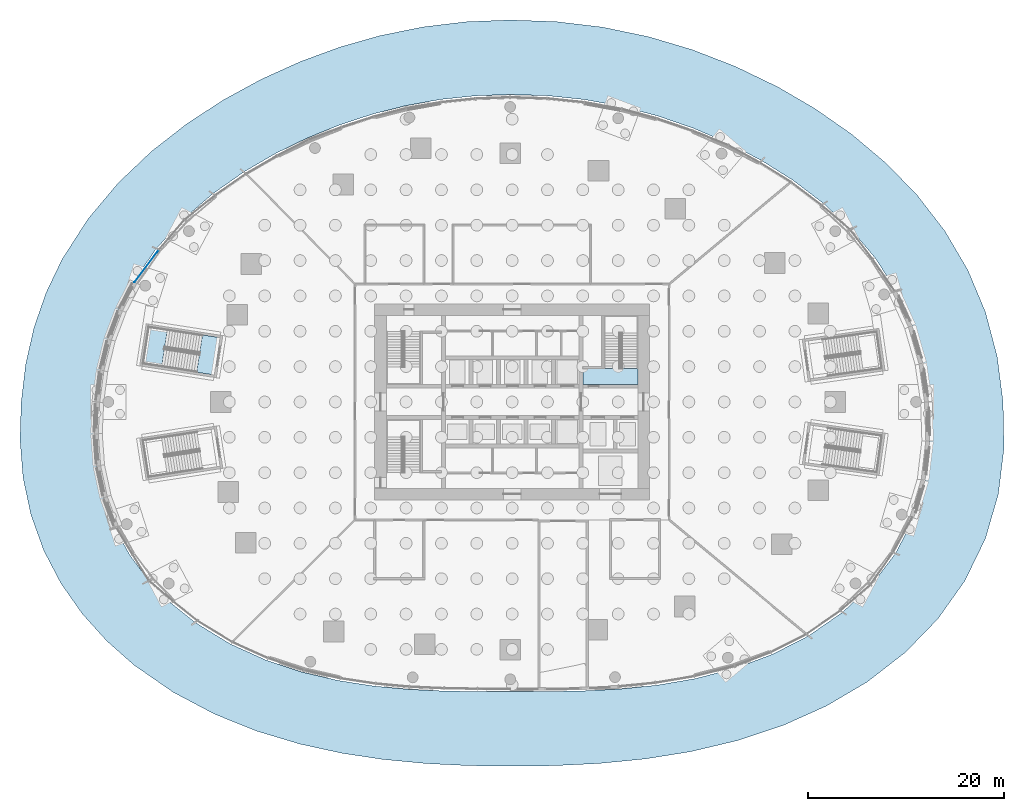
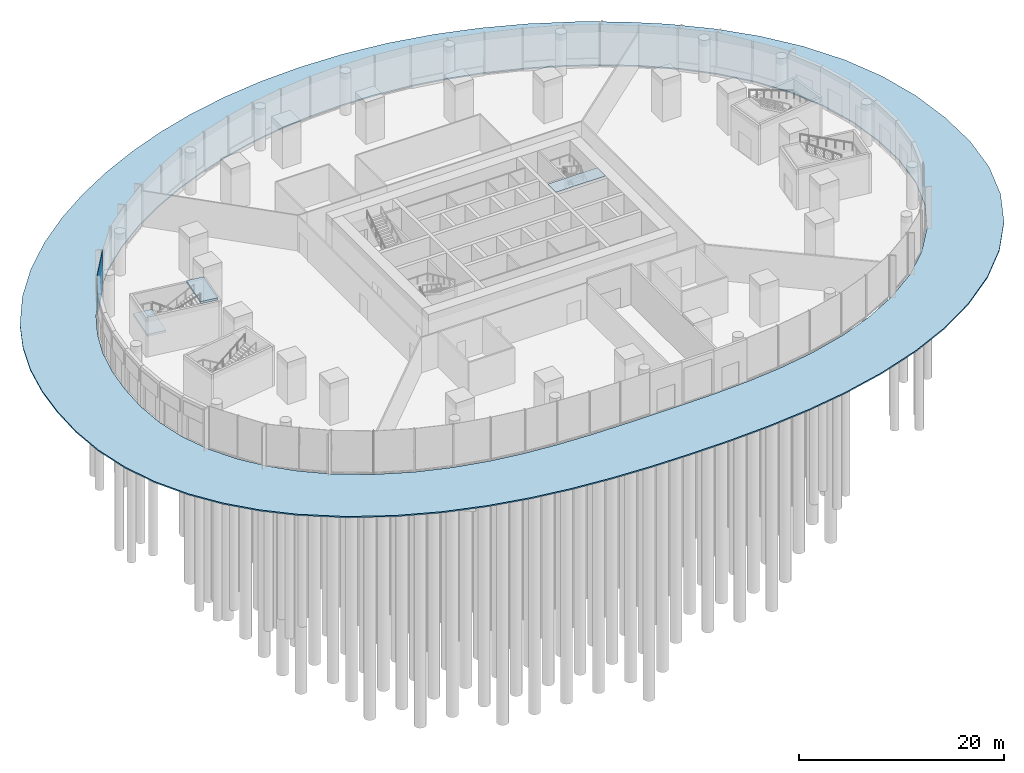
# One storey, part 10 of 29: 4 slabs, 1 plate, 3 elements without a shape of their own.
"""IFC4 building model written with IfcOpenShell, lengths in metres."""

import ifcopenshell
import ifcopenshell.guid

model = None  # the IFC model being written
_history = None  # IfcOwnerHistory: only IFC2X3 demands one
_inside = {}  # id of a spatial element -> (the spatial element, [elements in it])
_under = {}  # id of a project, library or spatial element -> (it, [spatial elements below it])
_declared = {}  # id of a project -> (the project, [libraries it declares])
_typed = {}  # id of a type object -> (the type object, [elements of that type])
_made_of = {}  # id of a material, layer set ... -> (it, [elements and type objects made of it])


def new_model(schema):
    """Start an empty IFC model of exactly this schema.

    Asked for "IFC4X3", IfcOpenShell would pick the latest addendum, in which some entities
    have other attributes; the version numbers below select the first issue.
    IFC2X3 requires an IfcOwnerHistory on every rooted entity: one is made here for all.
    """
    global model, _history
    if schema == "IFC4X3":
        model = ifcopenshell.file(schema_version=(4, 3, 0, 0))
    else:
        model = ifcopenshell.file(schema=schema)
    _inside.clear()
    _under.clear()
    _declared.clear()
    _typed.clear()
    _made_of.clear()
    _history = None
    if model.schema == "IFC2X3":
        org = make("IfcOrganization", Name="unknown")
        user = make(
            "IfcPersonAndOrganization",
            ThePerson=make("IfcPerson", FamilyName="unknown"),
            TheOrganization=org,
        )
        app = make(
            "IfcApplication",
            ApplicationDeveloper=org,
            Version="unknown",
            ApplicationFullName="unknown",
            ApplicationIdentifier="unknown",
        )
        _history = make(
            "IfcOwnerHistory",
            OwningUser=user,
            OwningApplication=app,
            ChangeAction="ADDED",
            CreationDate=0,
        )
    return model


def make(cls, **values):
    """One entity of the class cls with the attributes given. An attribute that is None is left unset."""
    return model.create_entity(
        cls, **{name: value for name, value in values.items() if value is not None}
    )


def rooted(cls, **values):
    """An entity with a GlobalId (a new one), such as an element, a storey or a relation."""
    return make(cls, GlobalId=ifcopenshell.guid.new(), OwnerHistory=_history, **values)


def si_unit(unit_type, name, prefix=None):
    """IfcSIUnit, for example si_unit("LENGTHUNIT", "METRE", prefix="MILLI")."""
    return make("IfcSIUnit", UnitType=unit_type, Prefix=prefix, Name=name)


def assignment(units):
    """IfcUnitAssignment: the units of a project."""
    return None if units is None else make("IfcUnitAssignment", Units=units)


def point(xyz):
    """IfcCartesianPoint."""
    return None if xyz is None else make("IfcCartesianPoint", Coordinates=xyz)


def direction(xyz):
    """IfcDirection."""
    return None if xyz is None else make("IfcDirection", DirectionRatios=xyz)


def frame(location, z_axis=None, x_axis=None):
    """IfcAxis2Placement3D, a coordinate frame: its origin and axes. An axis left out is left unset."""
    return make(
        "IfcAxis2Placement3D",
        Location=point(location),
        Axis=direction(z_axis),
        RefDirection=direction(x_axis),
    )


def frame_2d(location, x_axis=None):
    """IfcAxis2Placement2D, a coordinate frame in the plane: its origin and x axis."""
    return make(
        "IfcAxis2Placement2D", Location=point(location), RefDirection=direction(x_axis)
    )


def origin():
    """The frame at (0, 0, 0) with its axes left unset."""
    return frame((0.0, 0.0, 0.0))


def origin_2d():
    """The frame at (0, 0) in the plane with its x axis left unset."""
    return frame_2d((0.0, 0.0))


def place(relative_to, where):
    """IfcLocalPlacement: puts the frame where relative to a parent placement (None: the world)."""
    return make(
        "IfcLocalPlacement", PlacementRelTo=relative_to, RelativePlacement=where
    )


def context(
    kind, dimensions, precision=None, world=None, true_north=None, identifier=None
):
    """IfcGeometricRepresentationContext, for example the 3D "Model" context."""
    return make(
        "IfcGeometricRepresentationContext",
        ContextIdentifier=identifier,
        ContextType=kind,
        CoordinateSpaceDimension=dimensions,
        Precision=precision,
        WorldCoordinateSystem=world,
        TrueNorth=true_north,
    )


def subcontext(parent, identifier, kind, view, scale=None):
    """IfcGeometricRepresentationSubContext, for example "Body" below "Model"."""
    return make(
        "IfcGeometricRepresentationSubContext",
        ContextIdentifier=identifier,
        ContextType=kind,
        ParentContext=parent,
        TargetScale=scale,
        TargetView=view,
    )


def project(units=None, contexts=None):
    """IfcProject with its units and contexts."""
    return rooted(
        "IfcProject",
        Name="project",
        RepresentationContexts=contexts,
        UnitsInContext=assignment(units),
    )


def spatial(cls, under=None, at=None, **own):
    """A site, building, storey or space (cls), placed at a placement, below another one or the project."""
    s = rooted(cls, ObjectPlacement=at, **own)
    if under is not None:
        _under.setdefault(under.id(), (under, []))[1].append(s)
    return s


def polyline(points):
    """IfcPolyline through the points."""
    return make("IfcPolyline", Points=[point(p) for p in points])


def profile(cls, at=None, kind="AREA", **sizes):
    """A parametric profile (cls). Its sizes go by their IFC names, for example OverallWidth=200.0."""
    return make(cls, ProfileType=kind, Position=at, **sizes)


def rectangle(**sizes):
    """IfcRectangleProfileDef."""
    return profile("IfcRectangleProfileDef", **sizes)


def outline(outer, holes=None, kind="AREA"):
    """IfcArbitraryClosedProfileDef: a profile drawn as a closed curve; with holes, ...WithVoids."""
    if holes is None:
        return make("IfcArbitraryClosedProfileDef", ProfileType=kind, OuterCurve=outer)
    return make(
        "IfcArbitraryProfileDefWithVoids",
        ProfileType=kind,
        OuterCurve=outer,
        InnerCurves=holes,
    )


def extrude(swept, where, along, depth):
    """IfcExtrudedAreaSolid: the profile swept, set in the frame where, extruded along a direction by depth."""
    return make(
        "IfcExtrudedAreaSolid",
        SweptArea=swept,
        Position=where,
        ExtrudedDirection=direction(along),
        Depth=depth,
    )


def shape(context_of_items, identifier, shape_type, items):
    """IfcShapeRepresentation: the items that make up one representation, for example the "Body"."""
    return make(
        "IfcShapeRepresentation",
        ContextOfItems=context_of_items,
        RepresentationIdentifier=identifier,
        RepresentationType=shape_type,
        Items=items,
    )


def material(Name=None, Category=None):
    """IfcMaterial."""
    return make("IfcMaterial", Name=Name, Category=Category)


def layer(
    of_material, thickness, ventilated=None, Name=None, Category=None, Priority=None
):
    """IfcMaterialLayer: one layer of a wall or slab, of a material (None: an air gap)."""
    return make(
        "IfcMaterialLayer",
        Material=of_material,
        LayerThickness=thickness,
        IsVentilated=ventilated,
        Name=Name,
        Category=Category,
        Priority=Priority,
    )


def layer_set(layers, Name=None):
    """IfcMaterialLayerSet."""
    return make("IfcMaterialLayerSet", MaterialLayers=layers, LayerSetName=Name)


def made_of(thing, what):
    """Note that an element or type object is made of a material, layer set ...; save() writes the relation."""
    if what is not None:
        _made_of.setdefault(what.id(), (what, []))[1].append(thing)
    return thing


def type_object(cls, material=None, **own):
    """A type object (cls), such as IfcWallType, which elements share."""
    return made_of(rooted(cls, **own), material)


def element(
    cls,
    number,
    at=None,
    inside=None,
    cuts=None,
    type_object=None,
    material=None,
    context=None,
    identifier="Body",
    shape_type=None,
    held_by="IfcProductDefinitionShape",
    body=None,
    shapes=None,
    **own,
):
    """One element of the class cls, such as IfcWall. Its Tag is "e" and its number.

    at: its placement. inside: the storey or other place that contains it. cuts: it is an
    opening in that element (IfcRelVoidsElement). A single representation is given by context,
    identifier, shape_type and body (its items); several are given by shapes. held_by: the class
    of the entity that holds the representations. save() writes the other relations.
    """
    e = rooted(cls, Tag="e%d" % number, ObjectPlacement=at, **own)
    if body is not None:
        shapes = [shape(context, identifier, shape_type, body)]
    if shapes is not None:
        e.Representation = make(held_by, Representations=shapes)
    if inside is not None:
        _inside.setdefault(inside.id(), (inside, []))[1].append(e)
    if cuts is not None:
        rooted(
            "IfcRelVoidsElement", RelatingBuildingElement=cuts, RelatedOpeningElement=e
        )
    if type_object is not None:
        _typed.setdefault(type_object.id(), (type_object, []))[1].append(e)
    return made_of(e, material)


def aggregate(whole, parts):
    """IfcRelAggregates: a whole, such as a stair, and the parts it consists of."""
    return rooted("IfcRelAggregates", RelatingObject=whole, RelatedObjects=parts)


def save(model, path):
    """Write the relations noted so far, then the file.

    IfcRelAggregates (storeys below a building ...), IfcRelContainedInSpatialStructure (elements
    in a storey), IfcRelDefinesByType, IfcRelAssociatesMaterial and IfcRelDeclares: one each for
    every whole, place, type object, material and project.
    """
    for whole, parts in _under.values():
        aggregate(whole, parts)
    for where, things in _inside.values():
        rooted(
            "IfcRelContainedInSpatialStructure",
            RelatedElements=things,
            RelatingStructure=where,
        )
    for kind, things in _typed.values():
        rooted("IfcRelDefinesByType", RelatedObjects=things, RelatingType=kind)
    for what, things in _made_of.values():
        rooted("IfcRelAssociatesMaterial", RelatedObjects=things, RelatingMaterial=what)
    for by, libraries in _declared.values():
        rooted("IfcRelDeclares", RelatingContext=by, RelatedDefinitions=libraries)
    model.write(path)


model = new_model("IFC4")

# Units and contexts
model_context = context("Model", 3, precision=1e-05, world=origin(), true_north=direction((0.0, 1.0)))
body_context = subcontext(model_context, "Body", "Model", "MODEL_VIEW")
ifc_project = project(units=[si_unit("LENGTHUNIT", "METRE"), si_unit("AREAUNIT", "SQUARE_METRE"), si_unit("VOLUMEUNIT", "CUBIC_METRE"), si_unit("PLANEANGLEUNIT", "RADIAN"), si_unit("MASSUNIT", "GRAM", prefix="KILO")], contexts=[model_context])

# Site, building, storey
site_placement = place(None, origin())
site = spatial("IfcSite", under=ifc_project, at=site_placement, CompositionType="ELEMENT")
building_placement = place(site_placement, origin())
building = spatial("IfcBuilding", under=site, at=building_placement, Name="Ghaith Harvest Tower", CompositionType="ELEMENT")
storey_placement = place(building_placement, origin())
storey = spatial("IfcBuildingStorey", under=building, at=storey_placement, Name="L00", CompositionType="ELEMENT", Elevation=0.0)

# Curtain wall, plate
ifc_material_1 = material(Name="Black anodised aluminium and fritted glass", Category="aluminium")
curtain_wall_type = type_object("IfcCurtainWallType", Name="CW-P CURTAIN WALL", PredefinedType="NOTDEFINED", material=ifc_material_1)
curtain_wall_placement = place(storey_placement, origin())
curtain_wall = element("IfcCurtainWall", 1, at=curtain_wall_placement, inside=storey, type_object=curtain_wall_type, Name="Curtain wall CW-P bay 09 L00", PredefinedType="NOTDEFINED")
ifc_material_2 = material(Name="Glass, dark solar-control fritted double glazed unit", Category="glass")
ifc_layer_1 = layer(ifc_material_2, 0.035888671875)
ifc_layer_set_1 = layer_set([ifc_layer_1], Name="CW-P VISION PANEL")
plate_type = type_object("IfcPlateType", Name="CW-P VISION PANEL", PredefinedType="CURTAIN_PANEL", material=ifc_layer_set_1)
plate_placement = place(storey_placement, frame((-37.227294921875, 13.84228515625, 0.080078125), z_axis=(0.0, 0.0, 1.0), x_axis=(-0.601622218494, -0.798780762296, 0.0)))
plate = element("IfcPlate", 2, at=plate_placement, type_object=plate_type, Name="CW-P glass unit 3 bay 09 L00", PredefinedType="CURTAIN_PANEL", context=body_context, shape_type="SweptSolid", body=[
    extrude(rectangle(XDim=4.107666015625, YDim=0.035888671875, at=origin_2d()), origin(), (0.0, 0.0, 1.0), 4.919921875),
])
aggregate(curtain_wall, [plate])

# Slab
ifc_material_3 = material(Name="Concrete paving, sand-coloured", Category="concrete")
ifc_layer_2 = layer(ifc_material_3, 0.14990234375)
ifc_layer_set_2 = layer_set([ifc_layer_2], Name="FORECOURT PAVING 150")
slab_type_1 = type_object("IfcSlabType", Name="FORECOURT PAVING 150", PredefinedType="FLOOR", material=ifc_layer_set_2)
slab_1_placement = place(storey_placement, frame((0.0, 0.0, -0.14990234375)))
element("IfcSlab", 3, at=slab_1_placement, inside=storey, type_object=slab_type_1, Name="Forecourt paving", PredefinedType="FLOOR", context=body_context, shape_type="SweptSolid", body=[
    extrude(outline(polyline([(50.0, 0.0), (49.39794921875, 4.646484375), (48.208251953125, 9.14990234375), (46.422119140625, 13.4169921875), (44.0654296875, 17.421142578125), (41.26513671875, 21.0458984375), (38.138427734375, 24.271728515625), (34.57421875, 27.2744140625), (30.859375, 29.867431640625), (27.058349609375, 32.08740234375), (22.70703125, 34.186767578125), (18.31884765625, 35.88330078125), (13.90478515625, 37.194580078125), (9.189208984375, 38.175537109375), (4.46240234375, 38.7373046875), (-0.26611328125, 38.8994140625), (-4.672607421875, 38.720947265625), (-9.07763671875, 38.193603515625), (-13.47265625, 37.30224609375), (-17.515380859375, 36.15087890625), (-21.537109375, 34.6787109375), (-25.531494140625, 32.87451171875), (-29.343505859375, 30.80029296875), (-33.087890625, 28.368896484375), (-36.71240234375, 25.544921875), (-40.115966796875, 22.3115234375), (-43.203125, 18.6357421875), (-45.839111328125, 14.527099609375), (-47.468017578125, 11.123291015625), (-48.711669921875, 7.5341796875), (-49.549072265625, 3.80908203125), (-50.0, 0.0), (-50.1220703125, -3.853271484375), (-49.814208984375, -7.70458984375), (-49.01416015625, -11.485595703125), (-47.708984375, -15.119873046875), (-45.9609375, -18.472412109375), (-43.800048828125, -21.559326171875), (-41.293212890625, -24.341796875), (-38.51611328125, -26.7998046875), (-34.501220703125, -29.58056640625), (-30.297119140625, -31.801025390625), (-26.03076171875, -33.517578125), (-21.637451171875, -34.84033203125), (-17.3349609375, -35.77880859375), (-13.15087890625, -36.410888671875), (-8.75341796875, -36.829345703125), (-4.4697265625, -37.0400390625), (-0.25390625, -37.099853515625), (4.267333984375, -37.0458984375), (8.86328125, -36.821533203125), (13.59130859375, -36.35595703125), (18.183837890625, -35.618408203125), (22.913330078125, -34.497314453125), (27.734130859375, -32.888671875), (32.0009765625, -30.972412109375), (36.158447265625, -28.524169921875), (40.063232421875, -25.49658203125), (43.3505859375, -22.109375), (46.10791015625, -18.228515625), (48.19873046875, -13.930419921875), (49.52099609375, -9.399169921875), (50.093994140625, -4.7119140625), (50.0, 0.0)]), holes=[polyline([(42.39990234375, 0.0), (41.831298828125, 3.934814453125), (40.74169921875, 7.73291015625), (39.120849609375, 11.306640625), (36.997802734375, 14.626953125), (34.494873046875, 17.5927734375), (31.726806640625, 20.191162109375), (28.607421875, 22.5673828125), (25.398193359375, 24.58203125), (22.158935546875, 26.277587890625), (18.502197265625, 27.85595703125), (14.86328125, 29.1142578125), (11.243408203125, 30.07568359375), (7.41064453125, 30.78662109375), (3.592529296875, 31.187255859375), (-0.214111328125, 31.2998046875), (-3.76220703125, 31.17578125), (-7.3203125, 30.799560546875), (-10.89111328125, 30.154296875), (-14.201416015625, 29.311279296875), (-17.527587890625, 28.222412109375), (-20.86962890625, 26.8720703125), (-24.101318359375, 25.297607421875), (-27.318359375, 23.422119140625), (-30.47412109375, 21.2041015625), (-33.47412109375, 18.617431640625), (-36.224609375, 15.62548828125), (-38.59423828125, 12.231201171875), (-40.068603515625, 9.389404296875), (-41.200927734375, 6.37255859375), (-41.971435546875, 3.2265625), (-42.39990234375, 0.0), (-42.54443359375, -3.270751953125), (-42.303466796875, -6.54296875), (-41.614501953125, -9.751708984375), (-40.464111328125, -12.82373046875), (-38.9091796875, -15.63818359375), (-36.981201171875, -18.202880859375), (-34.74609375, -20.482421875), (-32.277587890625, -22.458984375), (-28.7314453125, -24.6337890625), (-25.0546875, -26.29833984375), (-21.369140625, -27.51513671875), (-17.6279296875, -28.384033203125), (-14.021240234375, -28.939208984375), (-10.569091796875, -29.262939453125), (-6.99609375, -29.435302734375), (-3.559326171875, -29.494873046875), (-0.201904296875, -29.5), (3.397705078125, -29.495849609375), (7.084716796875, -29.4326171875), (10.929931640625, -29.2373046875), (14.728271484375, -28.849609375), (18.70849609375, -28.16650390625), (22.834716796875, -27.07861328125), (26.539794921875, -25.68701171875), (30.191650390625, -23.817138671875), (33.651611328125, -21.416259765625), (36.580078125, -18.656494140625), (39.0400390625, -15.434326171875), (40.897705078125, -11.8203125), (42.05419921875, -7.98193359375), (42.52734375, -4.000244140625), (42.39990234375, 0.0)])]), origin(), (0.0, 0.0, 1.0), 0.14990234375),
])

# Stair, slab
ifc_material_4 = material(Name="Concrete C40/50, precast", Category="concrete")
stair_type_1 = type_object("IfcStairType", Name="CORE STAIR 28R", PredefinedType="HALF_TURN_STAIR", material=ifc_material_4)
stair_1_placement = place(storey_placement, origin())
stair_1 = element("IfcStair", 4, at=stair_1_placement, inside=storey, type_object=stair_type_1, Name="Stair ST2 L00", PredefinedType="HALF_TURN_STAIR")
ifc_material_5 = material(Name="Concrete C40/50, precast", Category="concrete")
ifc_layer_3 = layer(ifc_material_5, 0.179931640625)
ifc_layer_set_3 = layer_set([ifc_layer_3], Name="STAIR LANDING 180")
slab_type_2 = type_object("IfcSlabType", Name="STAIR LANDING 180", PredefinedType="LANDING", material=ifc_layer_set_3)
slab_2_placement = place(storey_placement, frame((0.0, 0.0, 4.820068359375)))
slab_2 = element("IfcSlab", 5, at=slab_2_placement, type_object=slab_type_2, Name="ST2 landing 2", PredefinedType="LANDING", context=body_context, shape_type="SweptSolid", body=[
    extrude(outline(polyline([(12.800048828125, 1.800048828125), (12.800048828125, 3.39990234375), (7.199951171875, 3.39990234375), (7.199951171875, 1.800048828125), (12.800048828125, 1.800048828125)])), origin(), (0.0, 0.0, 1.0), 0.179931640625),
])
aggregate(stair_1, [slab_2])

# Stair, slabs
ifc_material_6 = material(Name="Concrete C40/50, precast", Category="concrete")
stair_type_2 = type_object("IfcStairType", Name="PODIUM STAIR 28R", PredefinedType="HALF_TURN_STAIR", material=ifc_material_6)
stair_2_placement = place(storey_placement, origin())
stair_2 = element("IfcStair", 6, at=stair_2_placement, inside=storey, type_object=stair_type_2, Name="Stair PS2 L00", PredefinedType="HALF_TURN_STAIR")
ifc_material_7 = material(Name="Concrete C40/50, precast", Category="concrete")
ifc_layer_4 = layer(ifc_material_7, 0.25)
ifc_layer_set_4 = layer_set([ifc_layer_4], Name="STAIR LANDING 250")
slab_type_3 = type_object("IfcSlabType", Name="STAIR LANDING 250", PredefinedType="LANDING", material=ifc_layer_set_4)
slab_3_placement = place(storey_placement, frame((0.0, 0.0, 2.25)))
slab_3 = element("IfcSlab", 7, at=slab_3_placement, type_object=slab_type_3, Name="PS2 landing 1", PredefinedType="LANDING", context=body_context, shape_type="SweptSolid", body=[
    extrude(outline(polyline([(-35.10498046875, 7.37744140625), (-37.0615234375, 7.68017578125), (-37.650146484375, 3.87548828125), (-35.693359375, 3.57275390625), (-35.10498046875, 7.37744140625)])), origin(), (0.0, 0.0, 1.0), 0.25),
])
slab_4_placement = place(storey_placement, frame((0.0, 0.0, 4.75)))
slab_4 = element("IfcSlab", 8, at=slab_4_placement, type_object=slab_type_3, Name="PS2 landing 2", PredefinedType="LANDING", context=body_context, shape_type="SweptSolid", body=[
    extrude(outline(polyline([(-29.74853515625, 6.549072265625), (-31.547119140625, 6.8271484375), (-32.135498046875, 3.0224609375), (-30.3369140625, 2.744384765625), (-29.74853515625, 6.549072265625)])), origin(), (0.0, 0.0, 1.0), 0.25),
])
aggregate(stair_2, [slab_3, slab_4])

save(model, "model.ifc")
